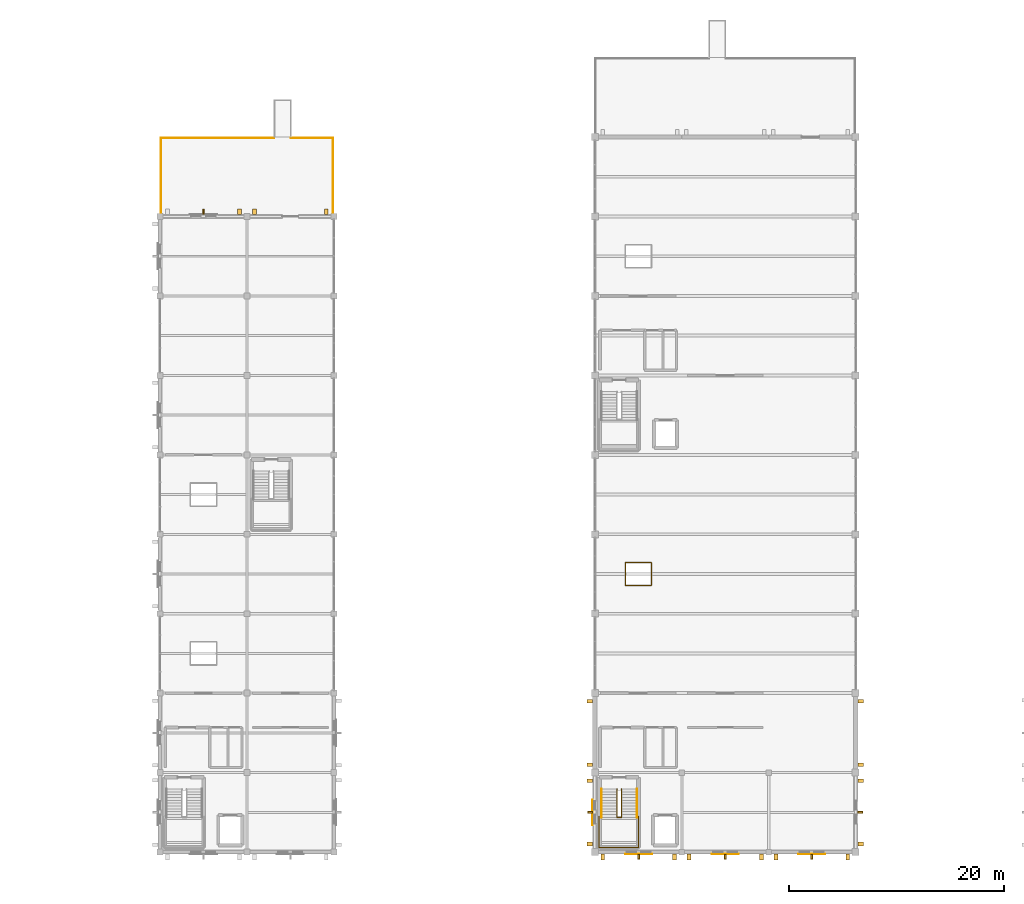
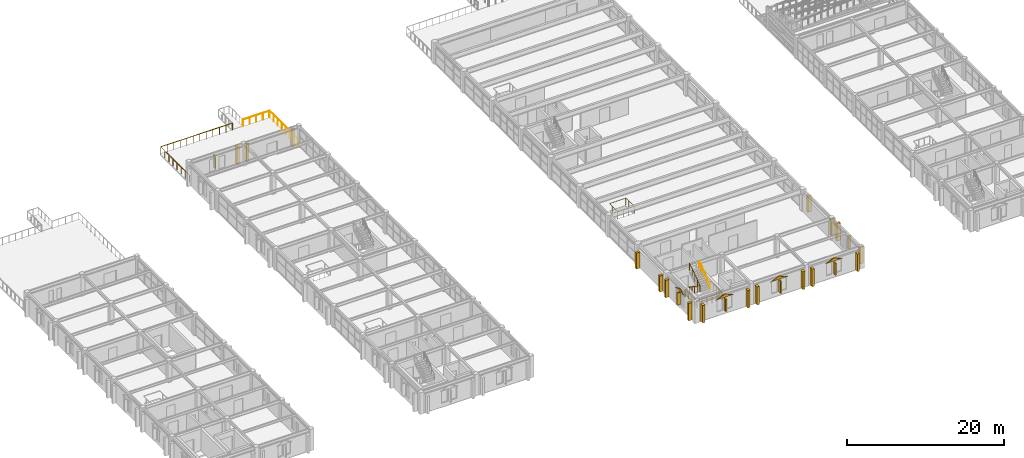
# One storey, part 89 of 93: 23 shading devices, 7 railings, 4 coverings.
"""IFC4 building model written with IfcOpenShell, lengths in metres."""

from ifc_helpers import new_model, si_unit, direction, frame, origin, origin_2d, place, context, subcontext, project, spatial, polyline, rectangle, circle, outline, extrude, material, layer, layer_set, type_object, element, save


model = new_model("IFC4")

# Units and contexts
model_context = context("Model", 3, precision=1e-05, world=origin(), true_north=direction((0.0, 1.0)))
body_context = subcontext(model_context, "Body", "Model", "MODEL_VIEW")
ifc_project = project(units=[si_unit("LENGTHUNIT", "METRE"), si_unit("AREAUNIT", "SQUARE_METRE"), si_unit("VOLUMEUNIT", "CUBIC_METRE"), si_unit("PLANEANGLEUNIT", "RADIAN"), si_unit("MASSUNIT", "GRAM", prefix="KILO")], contexts=[model_context])

# Site, building, storey
site_placement = place(None, origin())
site = spatial("IfcSite", under=ifc_project, at=site_placement, CompositionType="ELEMENT")
building_placement = place(site_placement, origin())
building = spatial("IfcBuilding", under=site, at=building_placement, Name="Cimatlan Art Gallery", CompositionType="ELEMENT")
storey_placement = place(building_placement, frame((0.0, 0.0, 13.800048828125)))
storey = spatial("IfcBuildingStorey", under=building, at=storey_placement, Name="L03", CompositionType="ELEMENT", Elevation=13.800048828125)

# Coverings
ifc_material_1 = material(Name="Queretaro cantera limestone ashlar hood-mould", Category="masonry")
ifc_layer = layer(ifc_material_1, 0.0419921875)
ifc_layer_set = layer_set([ifc_layer], Name="Queretaro cantera limestone ashlar hood-mould")
covering_type = type_object("IfcCoveringType", Name="COV-CLAD-CANTERA-42", PredefinedType="CLADDING", material=ifc_layer_set)
covering_1_placement = place(storey_placement, frame((80.24755859375, 23.721923828125, 2.530029296875), z_axis=(0.0, 1.0, 0.0), x_axis=(-1.0, 0.0, 0.0)))
element("IfcCovering", 1, at=covering_1_placement, inside=storey, type_object=covering_type, Name="CLD-081", PredefinedType="CLADDING", context=body_context, shape_type="SweptSolid", body=[
    extrude(outline(polyline([(0.0, 0.0), (2.52001953125, 0.0), (1.260009765625, 0.52001953125), (0.0, 0.0)])), origin(), (0.0, 0.0, -1.0), 0.0419921875),
])
covering_2_placement = place(storey_placement, frame((74.721923828125, 26.419921875, 2.550048828125), z_axis=(1.0, 0.0, 0.0), x_axis=(0.0, 1.0, 0.0)))
element("IfcCovering", 2, at=covering_2_placement, inside=storey, type_object=covering_type, Name="CLD-082", PredefinedType="CLADDING", context=body_context, shape_type="SweptSolid", body=[
    extrude(outline(polyline([(0.0, 0.0), (2.360107421875, 0.0), (1.18017578125, 0.52001953125), (0.0, 0.0)])), origin(), (0.0, 0.0, -1.0), 0.0419921875),
])
for number, where, z_axis, x_axis, name in (
    (3, (88.31005859375, 23.721923828125, 2.530029296875), (0.0, 1.0, 0.0), (-1.0, 0.0, 0.0), "CLD-083"),
    (4, (96.37255859375, 23.721923828125, 2.530029296875), (0.0, 1.0, 0.0), (-1.0, 0.0, 0.0), "CLD-084"),
):
    element("IfcCovering", number, at=place(storey_placement, frame(where, z_axis=z_axis, x_axis=x_axis)), inside=storey, type_object=covering_type, Name=name, PredefinedType="CLADDING", context=body_context, shape_type="SweptSolid", body=[
        extrude(outline(polyline([(0.0, 0.0), (2.52001953125, 0.0), (1.260009765625, 0.52001953125), (0.0, 0.0)])), origin(), (0.0, 0.0, -1.0), 0.0419921875),
    ])

# Railings
ifc_material_2 = material(Name="Anodised bronze and laminated glass balustrade", Category="glass")
railing_type_1 = type_object("IfcRailingType", Name="RL-BAL-EXT-1100", PredefinedType="BALUSTRADE", material=ifc_material_2)
railing_1_placement = place(storey_placement, frame((34.47998046875, 83.1201171875, 0.0)))
element("IfcRailing", 5, at=railing_1_placement, inside=storey, type_object=railing_type_1, Name="GR-TER-17", PredefinedType="BALUSTRADE", context=body_context, shape_type="SweptSolid", body=[
    extrude(circle(Radius=0.02587890625, at=origin_2d()), frame((0.0, 0.0, 1.09423828125), z_axis=(0.0, 1.0, 0.0), x_axis=(-1.0, 0.0, 0.0)), (0.0, 0.0, 1.0), 7.2998046875),
    extrude(circle(Radius=0.02587890625, at=origin_2d()), frame((0.0, 7.2998046875, 1.09423828125), z_axis=(1.0, 0.0, 0.0), x_axis=(0.0, 1.0, 0.0)), (0.0, 0.0, 1.0), 10.550048828125),
    extrude(circle(Radius=0.02099609375, at=origin_2d()), origin(), (0.0, 0.0, 1.0), 1.068115234375),
    extrude(circle(Radius=0.02099609375, at=origin_2d()), frame((0.0, 1.042724609375, 0.0)), (0.0, 0.0, 1.0), 1.068115234375),
    extrude(circle(Radius=0.02099609375, at=origin_2d()), frame((0.0, 2.085693359375, 0.0)), (0.0, 0.0, 1.0), 1.068115234375),
    extrude(circle(Radius=0.02099609375, at=origin_2d()), frame((0.0, 3.12841796875, 0.0)), (0.0, 0.0, 1.0), 1.068115234375),
    extrude(circle(Radius=0.02099609375, at=origin_2d()), frame((0.0, 4.17138671875, 0.0)), (0.0, 0.0, 1.0), 1.068115234375),
    extrude(circle(Radius=0.02099609375, at=origin_2d()), frame((0.0, 5.214111328125, 0.0)), (0.0, 0.0, 1.0), 1.068115234375),
    extrude(circle(Radius=0.02099609375, at=origin_2d()), frame((0.0, 6.257080078125, 0.0)), (0.0, 0.0, 1.0), 1.068115234375),
    extrude(circle(Radius=0.02099609375, at=origin_2d()), frame((0.0, 7.2998046875, 0.0)), (0.0, 0.0, 1.0), 1.068115234375),
    extrude(circle(Radius=0.02099609375, at=origin_2d()), frame((0.958984375, 7.2998046875, 0.0)), (0.0, 0.0, 1.0), 1.068115234375),
    extrude(circle(Radius=0.02099609375, at=origin_2d()), frame((1.918212890625, 7.2998046875, 0.0)), (0.0, 0.0, 1.0), 1.068115234375),
    extrude(circle(Radius=0.02099609375, at=origin_2d()), frame((2.877197265625, 7.2998046875, 0.0)), (0.0, 0.0, 1.0), 1.068115234375),
    extrude(circle(Radius=0.02099609375, at=origin_2d()), frame((3.83642578125, 7.2998046875, 0.0)), (0.0, 0.0, 1.0), 1.068115234375),
    extrude(circle(Radius=0.02099609375, at=origin_2d()), frame((4.79541015625, 7.2998046875, 0.0)), (0.0, 0.0, 1.0), 1.068115234375),
    extrude(circle(Radius=0.02099609375, at=origin_2d()), frame((5.754638671875, 7.2998046875, 0.0)), (0.0, 0.0, 1.0), 1.068115234375),
    extrude(circle(Radius=0.02099609375, at=origin_2d()), frame((6.713623046875, 7.2998046875, 0.0)), (0.0, 0.0, 1.0), 1.068115234375),
    extrude(circle(Radius=0.02099609375, at=origin_2d()), frame((7.6728515625, 7.2998046875, 0.0)), (0.0, 0.0, 1.0), 1.068115234375),
    extrude(circle(Radius=0.02099609375, at=origin_2d()), frame((8.6318359375, 7.2998046875, 0.0)), (0.0, 0.0, 1.0), 1.068115234375),
    extrude(circle(Radius=0.02099609375, at=origin_2d()), frame((9.591064453125, 7.2998046875, 0.0)), (0.0, 0.0, 1.0), 1.068115234375),
    extrude(circle(Radius=0.02099609375, at=origin_2d()), frame((10.550048828125, 7.2998046875, 0.0)), (0.0, 0.0, 1.0), 1.068115234375),
])
railing_2_placement = place(storey_placement, frame((46.60009765625, 90.419921875, 0.0)))
element("IfcRailing", 6, at=railing_2_placement, inside=storey, type_object=railing_type_1, Name="GR-TER-18", PredefinedType="BALUSTRADE", context=body_context, shape_type="SweptSolid", body=[
    extrude(circle(Radius=0.02587890625, at=origin_2d()), frame((0.0, 0.0, 1.09423828125), z_axis=(1.0, 0.0, 0.0), x_axis=(0.0, 1.0, 0.0)), (0.0, 0.0, 1.0), 3.919921875),
    extrude(circle(Radius=0.02587890625, at=origin_2d()), frame((3.919921875, 0.0, 1.09423828125), z_axis=(0.0, -1.0, 0.0), x_axis=(1.0, 0.0, 0.0)), (0.0, 0.0, 1.0), 7.2998046875),
    extrude(circle(Radius=0.02099609375, at=origin_2d()), origin(), (0.0, 0.0, 1.0), 1.068115234375),
    extrude(circle(Radius=0.02099609375, at=origin_2d()), frame((0.97998046875, 0.0, 0.0)), (0.0, 0.0, 1.0), 1.068115234375),
    extrude(circle(Radius=0.02099609375, at=origin_2d()), frame((1.9599609375, 0.0, 0.0)), (0.0, 0.0, 1.0), 1.068115234375),
    extrude(circle(Radius=0.02099609375, at=origin_2d()), frame((2.93994140625, 0.0, 0.0)), (0.0, 0.0, 1.0), 1.068115234375),
    extrude(circle(Radius=0.02099609375, at=origin_2d()), frame((3.919921875, 0.0, 0.0)), (0.0, 0.0, 1.0), 1.068115234375),
    extrude(circle(Radius=0.02099609375, at=origin_2d()), frame((3.919921875, -1.042724609375, 0.0)), (0.0, 0.0, 1.0), 1.068115234375),
    extrude(circle(Radius=0.02099609375, at=origin_2d()), frame((3.919921875, -2.085693359375, 0.0)), (0.0, 0.0, 1.0), 1.068115234375),
    extrude(circle(Radius=0.02099609375, at=origin_2d()), frame((3.919921875, -3.12841796875, 0.0)), (0.0, 0.0, 1.0), 1.068115234375),
    extrude(circle(Radius=0.02099609375, at=origin_2d()), frame((3.919921875, -4.17138671875, 0.0)), (0.0, 0.0, 1.0), 1.068115234375),
    extrude(circle(Radius=0.02099609375, at=origin_2d()), frame((3.919921875, -5.214111328125, 0.0)), (0.0, 0.0, 1.0), 1.068115234375),
    extrude(circle(Radius=0.02099609375, at=origin_2d()), frame((3.919921875, -6.257080078125, 0.0)), (0.0, 0.0, 1.0), 1.068115234375),
    extrude(circle(Radius=0.02099609375, at=origin_2d()), frame((3.919921875, -7.2998046875, 0.0)), (0.0, 0.0, 1.0), 1.068115234375),
])
ifc_material_3 = material(Name="Painted steel and bronze interior balustrade", Category="steel")
railing_type_2 = type_object("IfcRailingType", Name="RL-BAL-INT-1120", PredefinedType="BALUSTRADE", material=ifc_material_3)
railing_3_placement = place(storey_placement, frame((75.31005859375, 27.239990234375, 1.800048828125)))
element("IfcRailing", 7, at=railing_3_placement, inside=storey, type_object=railing_type_2, Name="STR-C3-L03-LGRD", PredefinedType="BALUSTRADE", context=body_context, shape_type="SweptSolid", body=[
    extrude(circle(Radius=0.02392578125, at=origin_2d()), frame((0.0, 0.0, 1.09619140625), z_axis=(0.0, -1.0, 0.0), x_axis=(1.0, 0.0, 0.0)), (0.0, 0.0, 1.0), 2.929931640625),
    extrude(circle(Radius=0.02392578125, at=origin_2d()), frame((0.0, -2.929931640625, 1.09619140625), z_axis=(1.0, 0.0, 0.0), x_axis=(0.0, 1.0, 0.0)), (0.0, 0.0, 1.0), 3.669921875),
    extrude(circle(Radius=0.02392578125, at=origin_2d()), frame((3.669921875, -2.929931640625, 1.09619140625), z_axis=(0.0, 1.0, 0.0), x_axis=(-1.0, 0.0, 0.0)), (0.0, 0.0, 1.0), 2.929931640625),
    extrude(circle(Radius=0.02001953125, at=origin_2d()), origin(), (0.0, 0.0, 1.0), 1.072021484375),
    extrude(circle(Radius=0.02001953125, at=origin_2d()), frame((0.0, -0.732421875, 0.0)), (0.0, 0.0, 1.0), 1.072021484375),
    extrude(circle(Radius=0.02001953125, at=origin_2d()), frame((0.0, -1.46484375, 0.0)), (0.0, 0.0, 1.0), 1.072021484375),
    extrude(circle(Radius=0.02001953125, at=origin_2d()), frame((0.0, -2.197509765625, 0.0)), (0.0, 0.0, 1.0), 1.072021484375),
    extrude(circle(Radius=0.02001953125, at=origin_2d()), frame((0.0, -2.929931640625, 0.0)), (0.0, 0.0, 1.0), 1.072021484375),
    extrude(circle(Radius=0.02001953125, at=origin_2d()), frame((0.73388671875, -2.929931640625, 0.0)), (0.0, 0.0, 1.0), 1.072021484375),
    extrude(circle(Radius=0.02001953125, at=origin_2d()), frame((1.468017578125, -2.929931640625, 0.0)), (0.0, 0.0, 1.0), 1.072021484375),
    extrude(circle(Radius=0.02001953125, at=origin_2d()), frame((2.201904296875, -2.929931640625, 0.0)), (0.0, 0.0, 1.0), 1.072021484375),
    extrude(circle(Radius=0.02001953125, at=origin_2d()), frame((2.93603515625, -2.929931640625, 0.0)), (0.0, 0.0, 1.0), 1.072021484375),
    extrude(circle(Radius=0.02001953125, at=origin_2d()), frame((3.669921875, -2.929931640625, 0.0)), (0.0, 0.0, 1.0), 1.072021484375),
    extrude(circle(Radius=0.02001953125, at=origin_2d()), frame((3.669921875, -2.197509765625, 0.0)), (0.0, 0.0, 1.0), 1.072021484375),
    extrude(circle(Radius=0.02001953125, at=origin_2d()), frame((3.669921875, -1.46484375, 0.0)), (0.0, 0.0, 1.0), 1.072021484375),
    extrude(circle(Radius=0.02001953125, at=origin_2d()), frame((3.669921875, -0.732421875, 0.0)), (0.0, 0.0, 1.0), 1.072021484375),
    extrude(circle(Radius=0.02001953125, at=origin_2d()), frame((3.669921875, 0.0, 0.0)), (0.0, 0.0, 1.0), 1.072021484375),
])
railing_4_placement = place(storey_placement, frame((76.969970703125, 29.780029296875, 0.0)))
element("IfcRailing", 8, at=railing_4_placement, inside=storey, type_object=railing_type_2, Name="STR-C3-L03-GRD", PredefinedType="BALUSTRADE", context=body_context, shape_type="SweptSolid", body=[
    extrude(circle(Radius=0.02392578125, at=origin_2d()), frame((0.0, 0.0, 1.09619140625), z_axis=(0.0, -0.827224042694, 0.561872212509), x_axis=(1.0, 0.0, 0.0)), (0.0, 0.0, 1.0), 3.20361328125),
    extrude(circle(Radius=0.02392578125, at=origin_2d()), frame((0.0, -2.650146484375, 2.89599609375), z_axis=(1.0, 0.0, 0.0), x_axis=(0.0, 1.0, 0.0)), (0.0, 0.0, 1.0), 0.400146484375),
    extrude(circle(Radius=0.02392578125, at=origin_2d()), frame((0.400146484375, -2.650146484375, 2.89599609375), z_axis=(0.0, 0.827259463012, 0.561820060924), x_axis=(-1.0, 0.0, 0.0)), (0.0, 0.0, 1.0), 3.20361328125),
    extrude(circle(Radius=0.02001953125, at=origin_2d()), origin(), (0.0, 0.0, 1.0), 1.072021484375),
    extrude(circle(Radius=0.02001953125, at=origin_2d()), frame((0.0, -0.66259765625, 0.449951171875)), (0.0, 0.0, 1.0), 1.072021484375),
    extrude(circle(Radius=0.02001953125, at=origin_2d()), frame((0.0, -1.3251953125, 0.89990234375)), (0.0, 0.0, 1.0), 1.072021484375),
    extrude(circle(Radius=0.02001953125, at=origin_2d()), frame((0.0, -1.987548828125, 1.35009765625)), (0.0, 0.0, 1.0), 1.072021484375),
    extrude(circle(Radius=0.02001953125, at=origin_2d()), frame((0.0, -2.650146484375, 1.800048828125)), (0.0, 0.0, 1.0), 1.072021484375),
    extrude(circle(Radius=0.02001953125, at=origin_2d()), frame((0.400146484375, -2.650146484375, 1.800048828125)), (0.0, 0.0, 1.0), 1.072021484375),
    extrude(circle(Radius=0.02001953125, at=origin_2d()), frame((0.400146484375, -1.987548828125, 2.25)), (0.0, 0.0, 1.0), 1.072021484375),
    extrude(circle(Radius=0.02001953125, at=origin_2d()), frame((0.400146484375, -1.3251953125, 2.699951171875)), (0.0, 0.0, 1.0), 1.072021484375),
    extrude(circle(Radius=0.02001953125, at=origin_2d()), frame((0.400146484375, -0.66259765625, 3.14990234375)), (0.0, 0.0, 1.0), 1.072021484375),
    extrude(circle(Radius=0.02001953125, at=origin_2d()), frame((0.400146484375, 0.0, 3.599853515625)), (0.0, 0.0, 1.0), 1.072021484375),
])
railing_5_placement = place(storey_placement, frame((77.739990234375, 48.739990234375, 0.0)))
element("IfcRailing", 9, at=railing_5_placement, inside=storey, type_object=railing_type_2, Name="GR-OCU-L03-B3S", PredefinedType="BALUSTRADE", context=body_context, shape_type="SweptSolid", body=[
    extrude(circle(Radius=0.02392578125, at=origin_2d()), frame((0.0, 0.0, 1.09619140625), z_axis=(1.0, 0.0, 0.0), x_axis=(0.0, 1.0, 0.0)), (0.0, 0.0, 1.0), 2.419921875),
    extrude(circle(Radius=0.02392578125, at=origin_2d()), frame((2.419921875, 0.0, 1.09619140625), z_axis=(0.0, 1.0, 0.0), x_axis=(-1.0, 0.0, 0.0)), (0.0, 0.0, 1.0), 2.1201171875),
    extrude(circle(Radius=0.02392578125, at=origin_2d()), frame((2.419921875, 2.1201171875, 1.09619140625), z_axis=(-1.0, 0.0, 0.0), x_axis=(0.0, -1.0, 0.0)), (0.0, 0.0, 1.0), 2.419921875),
    extrude(circle(Radius=0.02392578125, at=origin_2d()), frame((0.0, 2.1201171875, 1.09619140625), z_axis=(0.0, -1.0, 0.0), x_axis=(1.0, 0.0, 0.0)), (0.0, 0.0, 1.0), 2.080078125),
    extrude(circle(Radius=0.02001953125, at=origin_2d()), origin(), (0.0, 0.0, 1.0), 1.072021484375),
    extrude(circle(Radius=0.02001953125, at=origin_2d()), frame((0.806640625, 0.0, 0.0)), (0.0, 0.0, 1.0), 1.072021484375),
    extrude(circle(Radius=0.02001953125, at=origin_2d()), frame((1.61328125, 0.0, 0.0)), (0.0, 0.0, 1.0), 1.072021484375),
    extrude(circle(Radius=0.02001953125, at=origin_2d()), frame((2.419921875, 0.0, 0.0)), (0.0, 0.0, 1.0), 1.072021484375),
    extrude(circle(Radius=0.02001953125, at=origin_2d()), frame((2.419921875, 0.706787109375, 0.0)), (0.0, 0.0, 1.0), 1.072021484375),
    extrude(circle(Radius=0.02001953125, at=origin_2d()), frame((2.419921875, 1.413330078125, 0.0)), (0.0, 0.0, 1.0), 1.072021484375),
    extrude(circle(Radius=0.02001953125, at=origin_2d()), frame((2.419921875, 2.1201171875, 0.0)), (0.0, 0.0, 1.0), 1.072021484375),
    extrude(circle(Radius=0.02001953125, at=origin_2d()), frame((1.61328125, 2.1201171875, 0.0)), (0.0, 0.0, 1.0), 1.072021484375),
    extrude(circle(Radius=0.02001953125, at=origin_2d()), frame((0.806640625, 2.1201171875, 0.0)), (0.0, 0.0, 1.0), 1.072021484375),
    extrude(circle(Radius=0.02001953125, at=origin_2d()), frame((0.0, 2.1201171875, 0.0)), (0.0, 0.0, 1.0), 1.072021484375),
    extrude(circle(Radius=0.02001953125, at=origin_2d()), frame((0.0, 1.4267578125, 0.0)), (0.0, 0.0, 1.0), 1.072021484375),
    extrude(circle(Radius=0.02001953125, at=origin_2d()), frame((0.0, 0.7333984375, 0.0)), (0.0, 0.0, 1.0), 1.072021484375),
    extrude(circle(Radius=0.02001953125, at=origin_2d()), frame((0.0, 0.0400390625, 0.0)), (0.0, 0.0, 1.0), 1.072021484375),
])
ifc_material_4 = material(Name="Brushed bronze stair handrail")
railing_type_3 = type_object("IfcRailingType", Name="RL-HND-INT-920", PredefinedType="HANDRAIL", material=ifc_material_4)
railing_6_placement = place(storey_placement, frame((75.510009765625, 29.780029296875, 0.0)))
element("IfcRailing", 10, at=railing_6_placement, inside=storey, type_object=railing_type_3, Name="STR-C3-L03-HR1", PredefinedType="HANDRAIL", context=body_context, shape_type="SweptSolid", body=[
    extrude(circle(Radius=0.02197265625, at=origin_2d()), frame((0.0, 0.0, 0.89794921875), z_axis=(0.0, -0.827224042694, 0.561872212509), x_axis=(1.0, 0.0, 0.0)), (0.0, 0.0, 1.0), 3.20361328125),
    extrude(circle(Radius=0.01904296875, at=origin_2d()), origin(), (0.0, 0.0, 1.0), 0.8759765625),
    extrude(circle(Radius=0.01904296875, at=origin_2d()), frame((0.0, -0.66259765625, 0.449951171875)), (0.0, 0.0, 1.0), 0.8759765625),
    extrude(circle(Radius=0.01904296875, at=origin_2d()), frame((0.0, -1.3251953125, 0.89990234375)), (0.0, 0.0, 1.0), 0.8759765625),
    extrude(circle(Radius=0.01904296875, at=origin_2d()), frame((0.0, -1.987548828125, 1.35009765625)), (0.0, 0.0, 1.0), 0.8759765625),
    extrude(circle(Radius=0.01904296875, at=origin_2d()), frame((0.0, -2.650146484375, 1.800048828125)), (0.0, 0.0, 1.0), 0.8759765625),
])
railing_7_placement = place(storey_placement, frame((78.830078125, 27.1298828125, 1.800048828125)))
element("IfcRailing", 11, at=railing_7_placement, inside=storey, type_object=railing_type_3, Name="STR-C3-L03-HR2", PredefinedType="HANDRAIL", context=body_context, shape_type="SweptSolid", body=[
    extrude(circle(Radius=0.02197265625, at=origin_2d()), frame((0.0, 0.0, 0.89794921875), z_axis=(0.0, 0.827259463012, 0.561820060924), x_axis=(-1.0, 0.0, 0.0)), (0.0, 0.0, 1.0), 3.20361328125),
    extrude(circle(Radius=0.01904296875, at=origin_2d()), origin(), (0.0, 0.0, 1.0), 0.8759765625),
    extrude(circle(Radius=0.01904296875, at=origin_2d()), frame((0.0, 0.66259765625, 0.449951171875)), (0.0, 0.0, 1.0), 0.8759765625),
    extrude(circle(Radius=0.01904296875, at=origin_2d()), frame((0.0, 1.3251953125, 0.89990234375)), (0.0, 0.0, 1.0), 0.8759765625),
    extrude(circle(Radius=0.01904296875, at=origin_2d()), frame((0.0, 1.987548828125, 1.349853515625)), (0.0, 0.0, 1.0), 0.8759765625),
    extrude(circle(Radius=0.01904296875, at=origin_2d()), frame((0.0, 2.650146484375, 1.7998046875)), (0.0, 0.0, 1.0), 0.8759765625),
])

# Shading devices
ifc_material_5 = material(Name="Queretaro cantera limestone buttress pilaster", Category="masonry")
shading_device_type_1 = type_object("IfcShadingDeviceType", Name="SHD-BUT-520", PredefinedType="USERDEFINED", material=ifc_material_5)
for number, where, z_axis, x_axis, name in (
    (12, (41.801025390625, 83.55810546875, 0.059814453125), (0.0, 0.0, 1.0), (1.0, 0.0, 0.0), "BUT-0376"),
    (13, (43.198974609375, 83.55810546875, 0.059814453125), (0.0, 0.0, 1.0), (1.0, 0.0, 0.0), "BUT-0385"),
    (14, (49.90087890625, 83.55810546875, 0.059814453125), (0.0, 0.0, 1.0), (1.0, 0.0, 0.0), "BUT-0386"),
):
    element("IfcShadingDevice", number, at=place(storey_placement, frame(where, z_axis=z_axis, x_axis=x_axis)), inside=storey, type_object=shading_device_type_1, Name=name, ObjectType="FIN", PredefinedType="USERDEFINED", context=body_context, shape_type="SweptSolid", body=[
        extrude(rectangle(XDim=0.340087890625, YDim=0.52001953125, at=origin_2d()), origin(), (0.0, 0.0, 1.0), 2.7880859375),
    ])
for number, where, z_axis, x_axis, name in (
    (15, (82.325927734375, 23.44189453125, 0.06005859375), (0.0, 0.0, 1.0), (-1.0, 0.0, 0.0), "BUT-0387"),
    (16, (75.64892578125, 23.44189453125, 0.06005859375), (0.0, 0.0, 1.0), (-1.0, 0.0, 0.0), "BUT-0388"),
    (17, (74.44189453125, 24.64892578125, 0.06005859375), (0.0, 0.0, 1.0), (0.0, 1.0, 0.0), "BUT-0389"),
    (18, (74.44189453125, 30.551025390625, 0.06005859375), (0.0, 0.0, 1.0), (0.0, 1.0, 0.0), "BUT-0390"),
):
    element("IfcShadingDevice", number, at=place(storey_placement, frame(where, z_axis=z_axis, x_axis=x_axis)), inside=storey, type_object=shading_device_type_1, Name=name, ObjectType="FIN", PredefinedType="USERDEFINED", context=body_context, shape_type="SweptSolid", body=[
        extrude(rectangle(XDim=0.340087890625, YDim=0.52001953125, at=origin_2d()), origin(), (0.0, 0.0, 1.0), 2.7119140625),
    ])
for number, where, z_axis, x_axis, name in (
    (19, (74.44189453125, 32.049072265625, 0.06005859375), (0.0, 0.0, 1.0), (0.0, 1.0, 0.0), "BUT-0391"),
    (20, (74.44189453125, 37.950927734375, 0.06005859375), (0.0, 0.0, 1.0), (0.0, 1.0, 0.0), "BUT-0392"),
):
    element("IfcShadingDevice", number, at=place(storey_placement, frame(where, z_axis=z_axis, x_axis=x_axis)), inside=storey, type_object=shading_device_type_1, Name=name, ObjectType="FIN", PredefinedType="USERDEFINED", context=body_context, shape_type="SweptSolid", body=[
        extrude(rectangle(XDim=0.340087890625, YDim=0.52001953125, at=origin_2d()), origin(), (0.0, 0.0, 1.0), 2.48291015625),
    ])
for number, where, z_axis, x_axis, name in (
    (21, (90.426025390625, 23.44189453125, 0.059814453125), (0.0, 0.0, 1.0), (-1.0, 0.0, 0.0), "BUT-0395"),
    (22, (83.674072265625, 23.44189453125, 0.059814453125), (0.0, 0.0, 1.0), (-1.0, 0.0, 0.0), "BUT-0396"),
):
    element("IfcShadingDevice", number, at=place(storey_placement, frame(where, z_axis=z_axis, x_axis=x_axis)), inside=storey, type_object=shading_device_type_1, Name=name, ObjectType="FIN", PredefinedType="USERDEFINED", context=body_context, shape_type="SweptSolid", body=[
        extrude(rectangle(XDim=0.340087890625, YDim=0.52001953125, at=origin_2d()), origin(), (0.0, 0.0, 1.0), 2.7880859375),
    ])
for number, where, z_axis, x_axis, name in (
    (23, (98.450927734375, 23.44189453125, 0.06005859375), (0.0, 0.0, 1.0), (-1.0, 0.0, 0.0), "BUT-0399"),
    (24, (91.77392578125, 23.44189453125, 0.06005859375), (0.0, 0.0, 1.0), (-1.0, 0.0, 0.0), "BUT-0400"),
    (25, (99.657958984375, 30.551025390625, 0.06005859375), (0.0, 0.0, 1.0), (0.0, -1.0, 0.0), "BUT-0401"),
    (26, (99.657958984375, 24.64892578125, 0.06005859375), (0.0, 0.0, 1.0), (0.0, -1.0, 0.0), "BUT-0402"),
):
    element("IfcShadingDevice", number, at=place(storey_placement, frame(where, z_axis=z_axis, x_axis=x_axis)), inside=storey, type_object=shading_device_type_1, Name=name, ObjectType="FIN", PredefinedType="USERDEFINED", context=body_context, shape_type="SweptSolid", body=[
        extrude(rectangle(XDim=0.340087890625, YDim=0.52001953125, at=origin_2d()), origin(), (0.0, 0.0, 1.0), 2.7119140625),
    ])
for number, where, z_axis, x_axis, name in (
    (27, (99.657958984375, 37.950927734375, 0.06005859375), (0.0, 0.0, 1.0), (0.0, -1.0, 0.0), "BUT-0403"),
    (28, (99.657958984375, 32.049072265625, 0.06005859375), (0.0, 0.0, 1.0), (0.0, -1.0, 0.0), "BUT-0404"),
):
    element("IfcShadingDevice", number, at=place(storey_placement, frame(where, z_axis=z_axis, x_axis=x_axis)), inside=storey, type_object=shading_device_type_1, Name=name, ObjectType="FIN", PredefinedType="USERDEFINED", context=body_context, shape_type="SweptSolid", body=[
        extrude(rectangle(XDim=0.340087890625, YDim=0.52001953125, at=origin_2d()), origin(), (0.0, 0.0, 1.0), 2.48291015625),
    ])
ifc_material_6 = material(Name="Queretaro cantera limestone lancet mullion fin", Category="masonry")
shading_device_type_2 = type_object("IfcShadingDeviceType", Name="SHD-FIN-480", PredefinedType="USERDEFINED", material=ifc_material_6)
shading_device_1_placement = place(storey_placement, frame((38.449951171875, 83.5380859375, 0.599853515625), z_axis=(0.0, 0.0, 1.0), x_axis=(1.0, 0.0, 0.0)))
element("IfcShadingDevice", 29, at=shading_device_1_placement, inside=storey, type_object=shading_device_type_2, Name="FIN-119", ObjectType="FIN", PredefinedType="USERDEFINED", context=body_context, shape_type="SweptSolid", body=[
    extrude(rectangle(XDim=0.159912109375, YDim=0.47998046875, at=origin_2d()), origin(), (0.0, 0.0, 1.0), 2.02001953125),
])
shading_device_2_placement = place(storey_placement, frame((78.987548828125, 23.4619140625, 0.60009765625), z_axis=(0.0, 0.0, 1.0), x_axis=(-1.0, 0.0, 0.0)))
element("IfcShadingDevice", 30, at=shading_device_2_placement, inside=storey, type_object=shading_device_type_2, Name="FIN-124", ObjectType="FIN", PredefinedType="USERDEFINED", context=body_context, shape_type="SweptSolid", body=[
    extrude(rectangle(XDim=0.159912109375, YDim=0.47998046875, at=origin_2d()), origin(), (0.0, 0.0, 1.0), 1.89990234375),
])
shading_device_3_placement = place(storey_placement, frame((74.4619140625, 27.60009765625, 0.60009765625), z_axis=(0.0, 0.0, 1.0), x_axis=(0.0, 1.0, 0.0)))
element("IfcShadingDevice", 31, at=shading_device_3_placement, inside=storey, type_object=shading_device_type_2, Name="FIN-125", ObjectType="FIN", PredefinedType="USERDEFINED", context=body_context, shape_type="SweptSolid", body=[
    extrude(rectangle(XDim=0.159912109375, YDim=0.47998046875, at=origin_2d()), origin(), (0.0, 0.0, 1.0), 1.919921875),
])
for number, where, z_axis, x_axis, name in (
    (32, (87.050048828125, 23.4619140625, 0.60009765625), (0.0, 0.0, 1.0), (-1.0, 0.0, 0.0), "FIN-126"),
    (33, (95.112548828125, 23.4619140625, 0.60009765625), (0.0, 0.0, 1.0), (-1.0, 0.0, 0.0), "FIN-127"),
):
    element("IfcShadingDevice", number, at=place(storey_placement, frame(where, z_axis=z_axis, x_axis=x_axis)), inside=storey, type_object=shading_device_type_2, Name=name, ObjectType="FIN", PredefinedType="USERDEFINED", context=body_context, shape_type="SweptSolid", body=[
        extrude(rectangle(XDim=0.159912109375, YDim=0.47998046875, at=origin_2d()), origin(), (0.0, 0.0, 1.0), 1.89990234375),
    ])
shading_device_4_placement = place(storey_placement, frame((99.637939453125, 27.60009765625, 0.599853515625), z_axis=(0.0, 0.0, 1.0), x_axis=(0.0, -1.0, 0.0)))
element("IfcShadingDevice", 34, at=shading_device_4_placement, inside=storey, type_object=shading_device_type_2, Name="FIN-128", ObjectType="FIN", PredefinedType="USERDEFINED", context=body_context, shape_type="SweptSolid", body=[
    extrude(rectangle(XDim=0.159912109375, YDim=0.47998046875, at=origin_2d()), origin(), (0.0, 0.0, 1.0), 1.9599609375),
])

save(model, "model.ifc")
